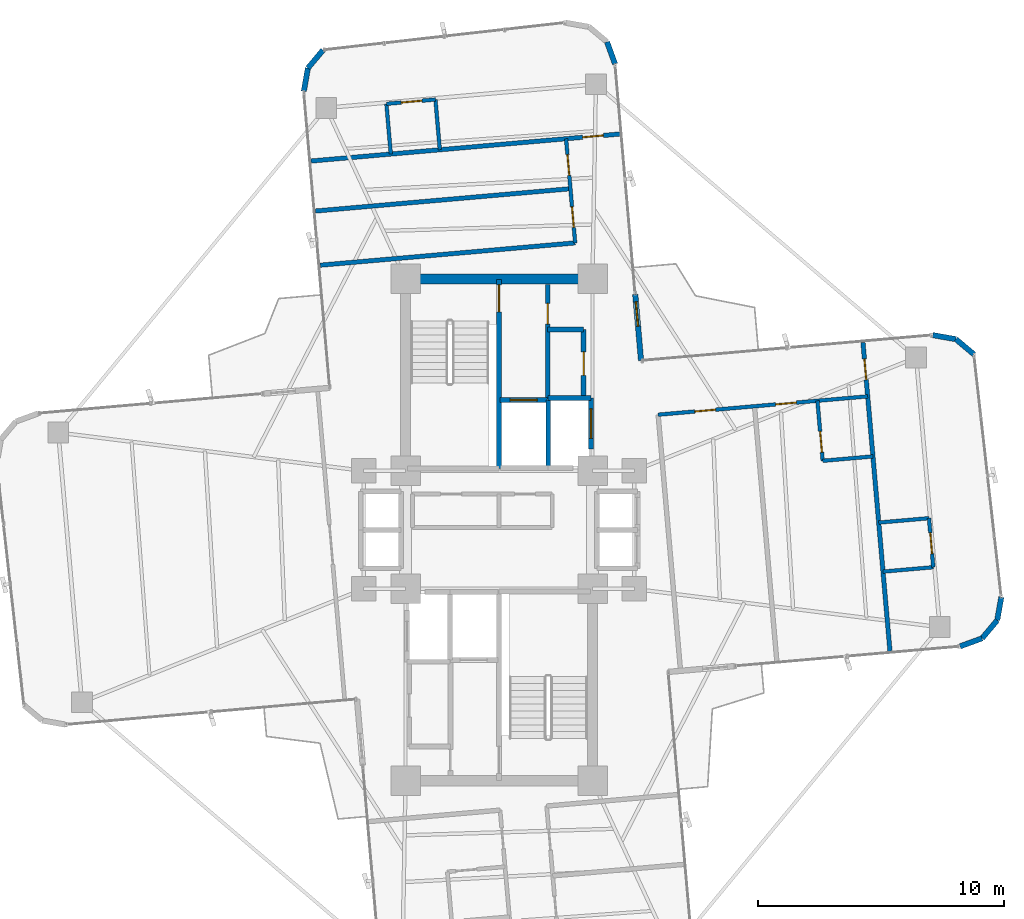
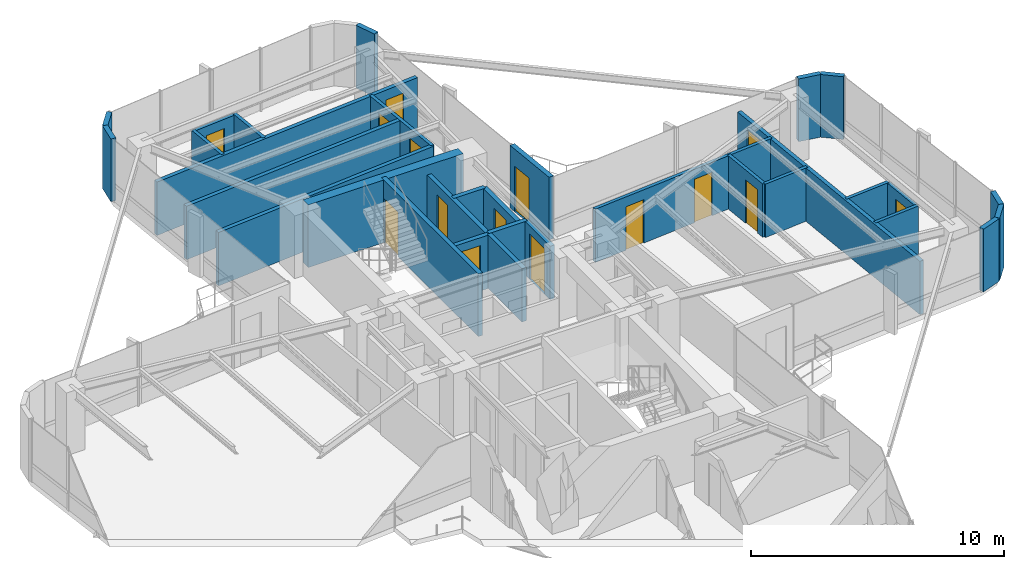
# One storey, part 22 of 24: 32 walls, 15 doors, 15 openings.
"""IFC4 building model written with IfcOpenShell, lengths in metres."""

import ifcopenshell
import ifcopenshell.guid

model = None  # the IFC model being written
_history = None  # IfcOwnerHistory: only IFC2X3 demands one
_inside = {}  # id of a spatial element -> (the spatial element, [elements in it])
_under = {}  # id of a project, library or spatial element -> (it, [spatial elements below it])
_declared = {}  # id of a project -> (the project, [libraries it declares])
_typed = {}  # id of a type object -> (the type object, [elements of that type])
_made_of = {}  # id of a material, layer set ... -> (it, [elements and type objects made of it])


def new_model(schema):
    """Start an empty IFC model of exactly this schema.

    Asked for "IFC4X3", IfcOpenShell would pick the latest addendum, in which some entities
    have other attributes; the version numbers below select the first issue.
    IFC2X3 requires an IfcOwnerHistory on every rooted entity: one is made here for all.
    """
    global model, _history
    if schema == "IFC4X3":
        model = ifcopenshell.file(schema_version=(4, 3, 0, 0))
    else:
        model = ifcopenshell.file(schema=schema)
    _inside.clear()
    _under.clear()
    _declared.clear()
    _typed.clear()
    _made_of.clear()
    _history = None
    if model.schema == "IFC2X3":
        org = make("IfcOrganization", Name="unknown")
        user = make(
            "IfcPersonAndOrganization",
            ThePerson=make("IfcPerson", FamilyName="unknown"),
            TheOrganization=org,
        )
        app = make(
            "IfcApplication",
            ApplicationDeveloper=org,
            Version="unknown",
            ApplicationFullName="unknown",
            ApplicationIdentifier="unknown",
        )
        _history = make(
            "IfcOwnerHistory",
            OwningUser=user,
            OwningApplication=app,
            ChangeAction="ADDED",
            CreationDate=0,
        )
    return model


def make(cls, **values):
    """One entity of the class cls with the attributes given. An attribute that is None is left unset."""
    return model.create_entity(
        cls, **{name: value for name, value in values.items() if value is not None}
    )


def rooted(cls, **values):
    """An entity with a GlobalId (a new one), such as an element, a storey or a relation."""
    return make(cls, GlobalId=ifcopenshell.guid.new(), OwnerHistory=_history, **values)


def si_unit(unit_type, name, prefix=None):
    """IfcSIUnit, for example si_unit("LENGTHUNIT", "METRE", prefix="MILLI")."""
    return make("IfcSIUnit", UnitType=unit_type, Prefix=prefix, Name=name)


def assignment(units):
    """IfcUnitAssignment: the units of a project."""
    return None if units is None else make("IfcUnitAssignment", Units=units)


def point(xyz):
    """IfcCartesianPoint."""
    return None if xyz is None else make("IfcCartesianPoint", Coordinates=xyz)


def direction(xyz):
    """IfcDirection."""
    return None if xyz is None else make("IfcDirection", DirectionRatios=xyz)


def frame(location, z_axis=None, x_axis=None):
    """IfcAxis2Placement3D, a coordinate frame: its origin and axes. An axis left out is left unset."""
    return make(
        "IfcAxis2Placement3D",
        Location=point(location),
        Axis=direction(z_axis),
        RefDirection=direction(x_axis),
    )


def frame_2d(location, x_axis=None):
    """IfcAxis2Placement2D, a coordinate frame in the plane: its origin and x axis."""
    return make(
        "IfcAxis2Placement2D", Location=point(location), RefDirection=direction(x_axis)
    )


def origin():
    """The frame at (0, 0, 0) with its axes left unset."""
    return frame((0.0, 0.0, 0.0))


def origin_2d():
    """The frame at (0, 0) in the plane with its x axis left unset."""
    return frame_2d((0.0, 0.0))


def place(relative_to, where):
    """IfcLocalPlacement: puts the frame where relative to a parent placement (None: the world)."""
    return make(
        "IfcLocalPlacement", PlacementRelTo=relative_to, RelativePlacement=where
    )


def context(
    kind, dimensions, precision=None, world=None, true_north=None, identifier=None
):
    """IfcGeometricRepresentationContext, for example the 3D "Model" context."""
    return make(
        "IfcGeometricRepresentationContext",
        ContextIdentifier=identifier,
        ContextType=kind,
        CoordinateSpaceDimension=dimensions,
        Precision=precision,
        WorldCoordinateSystem=world,
        TrueNorth=true_north,
    )


def subcontext(parent, identifier, kind, view, scale=None):
    """IfcGeometricRepresentationSubContext, for example "Body" below "Model"."""
    return make(
        "IfcGeometricRepresentationSubContext",
        ContextIdentifier=identifier,
        ContextType=kind,
        ParentContext=parent,
        TargetScale=scale,
        TargetView=view,
    )


def project(units=None, contexts=None):
    """IfcProject with its units and contexts."""
    return rooted(
        "IfcProject",
        Name="project",
        RepresentationContexts=contexts,
        UnitsInContext=assignment(units),
    )


def spatial(cls, under=None, at=None, **own):
    """A site, building, storey or space (cls), placed at a placement, below another one or the project."""
    s = rooted(cls, ObjectPlacement=at, **own)
    if under is not None:
        _under.setdefault(under.id(), (under, []))[1].append(s)
    return s


def profile(cls, at=None, kind="AREA", **sizes):
    """A parametric profile (cls). Its sizes go by their IFC names, for example OverallWidth=200.0."""
    return make(cls, ProfileType=kind, Position=at, **sizes)


def rectangle(**sizes):
    """IfcRectangleProfileDef."""
    return profile("IfcRectangleProfileDef", **sizes)


def extrude(swept, where, along, depth):
    """IfcExtrudedAreaSolid: the profile swept, set in the frame where, extruded along a direction by depth."""
    return make(
        "IfcExtrudedAreaSolid",
        SweptArea=swept,
        Position=where,
        ExtrudedDirection=direction(along),
        Depth=depth,
    )


def shape(context_of_items, identifier, shape_type, items):
    """IfcShapeRepresentation: the items that make up one representation, for example the "Body"."""
    return make(
        "IfcShapeRepresentation",
        ContextOfItems=context_of_items,
        RepresentationIdentifier=identifier,
        RepresentationType=shape_type,
        Items=items,
    )


def source(mapping_origin, context_of_items, identifier, shape_type, items):
    """IfcRepresentationMap: a shape defined once, which mapped items show again and again."""
    return make(
        "IfcRepresentationMap",
        MappingOrigin=mapping_origin,
        MappedRepresentation=shape(context_of_items, identifier, shape_type, items),
    )


def transform(
    local_origin,
    x_axis=None,
    y_axis=None,
    z_axis=None,
    scale=None,
    scale2=None,
    scale3=None,
    uniform=True,
):
    """IfcCartesianTransformationOperator3D, or its non-uniform kind. x_axis, y_axis, z_axis: its Axis1, 2, 3."""
    if uniform:
        return make(
            "IfcCartesianTransformationOperator3D",
            Axis1=direction(x_axis),
            Axis2=direction(y_axis),
            LocalOrigin=point(local_origin),
            Scale=scale,
            Axis3=direction(z_axis),
        )
    return make(
        "IfcCartesianTransformationOperator3DnonUniform",
        Axis1=direction(x_axis),
        Axis2=direction(y_axis),
        LocalOrigin=point(local_origin),
        Scale=scale,
        Axis3=direction(z_axis),
        Scale2=scale2,
        Scale3=scale3,
    )


def mapped(mapping_source, mapping_target):
    """IfcMappedItem: shows the shape of a source again, moved by a transform."""
    return make(
        "IfcMappedItem", MappingSource=mapping_source, MappingTarget=mapping_target
    )


def material(Name=None, Category=None):
    """IfcMaterial."""
    return make("IfcMaterial", Name=Name, Category=Category)


def layer(
    of_material, thickness, ventilated=None, Name=None, Category=None, Priority=None
):
    """IfcMaterialLayer: one layer of a wall or slab, of a material (None: an air gap)."""
    return make(
        "IfcMaterialLayer",
        Material=of_material,
        LayerThickness=thickness,
        IsVentilated=ventilated,
        Name=Name,
        Category=Category,
        Priority=Priority,
    )


def layer_set(layers, Name=None):
    """IfcMaterialLayerSet."""
    return make("IfcMaterialLayerSet", MaterialLayers=layers, LayerSetName=Name)


def made_of(thing, what):
    """Note that an element or type object is made of a material, layer set ...; save() writes the relation."""
    if what is not None:
        _made_of.setdefault(what.id(), (what, []))[1].append(thing)
    return thing


def type_object(cls, material=None, **own):
    """A type object (cls), such as IfcWallType, which elements share."""
    return made_of(rooted(cls, **own), material)


def element(
    cls,
    number,
    at=None,
    inside=None,
    cuts=None,
    type_object=None,
    material=None,
    context=None,
    identifier="Body",
    shape_type=None,
    held_by="IfcProductDefinitionShape",
    body=None,
    shapes=None,
    **own,
):
    """One element of the class cls, such as IfcWall. Its Tag is "e" and its number.

    at: its placement. inside: the storey or other place that contains it. cuts: it is an
    opening in that element (IfcRelVoidsElement). A single representation is given by context,
    identifier, shape_type and body (its items); several are given by shapes. held_by: the class
    of the entity that holds the representations. save() writes the other relations.
    """
    e = rooted(cls, Tag="e%d" % number, ObjectPlacement=at, **own)
    if body is not None:
        shapes = [shape(context, identifier, shape_type, body)]
    if shapes is not None:
        e.Representation = make(held_by, Representations=shapes)
    if inside is not None:
        _inside.setdefault(inside.id(), (inside, []))[1].append(e)
    if cuts is not None:
        rooted(
            "IfcRelVoidsElement", RelatingBuildingElement=cuts, RelatedOpeningElement=e
        )
    if type_object is not None:
        _typed.setdefault(type_object.id(), (type_object, []))[1].append(e)
    return made_of(e, material)


def fill(opening, filler):
    """IfcRelFillsElement: the door or window that sits in an opening."""
    return rooted(
        "IfcRelFillsElement",
        RelatingOpeningElement=opening,
        RelatedBuildingElement=filler,
    )


def aggregate(whole, parts):
    """IfcRelAggregates: a whole, such as a stair, and the parts it consists of."""
    return rooted("IfcRelAggregates", RelatingObject=whole, RelatedObjects=parts)


def save(model, path):
    """Write the relations noted so far, then the file.

    IfcRelAggregates (storeys below a building ...), IfcRelContainedInSpatialStructure (elements
    in a storey), IfcRelDefinesByType, IfcRelAssociatesMaterial and IfcRelDeclares: one each for
    every whole, place, type object, material and project.
    """
    for whole, parts in _under.values():
        aggregate(whole, parts)
    for where, things in _inside.values():
        rooted(
            "IfcRelContainedInSpatialStructure",
            RelatedElements=things,
            RelatingStructure=where,
        )
    for kind, things in _typed.values():
        rooted("IfcRelDefinesByType", RelatedObjects=things, RelatingType=kind)
    for what, things in _made_of.values():
        rooted("IfcRelAssociatesMaterial", RelatedObjects=things, RelatingMaterial=what)
    for by, libraries in _declared.values():
        rooted("IfcRelDeclares", RelatingContext=by, RelatedDefinitions=libraries)
    model.write(path)


model = new_model("IFC4")

# Units and contexts
model_context = context("Model", 3, precision=1e-05, world=origin(), true_north=direction((0.0, 1.0)))
body_context = subcontext(model_context, "Body", "Model", "MODEL_VIEW")
ifc_project = project(units=[si_unit("LENGTHUNIT", "METRE"), si_unit("AREAUNIT", "SQUARE_METRE"), si_unit("VOLUMEUNIT", "CUBIC_METRE"), si_unit("PLANEANGLEUNIT", "RADIAN"), si_unit("MASSUNIT", "GRAM", prefix="KILO")], contexts=[model_context])

# Site, building, storey
site_placement = place(None, origin())
site = spatial("IfcSite", under=ifc_project, at=site_placement, CompositionType="ELEMENT")
building_placement = place(site_placement, origin())
building = spatial("IfcBuilding", under=site, at=building_placement, Name="Sahyath Konkavel Grand Hotel", CompositionType="ELEMENT")
storey_placement = place(building_placement, frame((0.0, 0.0, 198.64990234375)))
storey = spatial("IfcBuildingStorey", under=building, at=storey_placement, Name="L55", CompositionType="ELEMENT", Elevation=198.64990234375)

# Walls
ifc_material_1 = material(Name="Concrete C50/60", Category="concrete")
ifc_layer_1 = layer(ifc_material_1, 0.419921875)
ifc_layer_set_1 = layer_set([ifc_layer_1], Name="Concrete C50/60")
wall_type_1 = type_object("IfcWallType", Name="CWALL-420", PredefinedType="SHEAR", material=ifc_layer_set_1)
wall_1_placement = place(storey_placement, frame((-3.550048828125, 10.199951171875, 0.0), z_axis=(0.0, 0.0, 1.0), x_axis=(1.0, 0.0, 0.0)))
element("IfcWall", 1, at=wall_1_placement, inside=storey, type_object=wall_type_1, Name="L55 North Core Shear Wall N", PredefinedType="SHEAR", context=body_context, shape_type="SweptSolid", body=[
    extrude(rectangle(XDim=7.10009765625, YDim=0.419921875, at=frame_2d((3.550048828125, 0.0))), origin(), (0.0, 0.0, 1.0), 3.030029296875),
])
ifc_material_2 = material(Name="Warm Buff Sandstone Insulated Concrete C40/50", Category="masonry")
ifc_layer_2 = layer(ifc_material_2, 0.219970703125)
ifc_layer_set_2 = layer_set([ifc_layer_2], Name="Warm Buff Sandstone Insulated Concrete C40/50")
wall_type_2 = type_object("IfcWallType", Name="WLL-BALC-THRESH", PredefinedType="STANDARD", material=ifc_layer_set_2)
wall_2_placement = place(storey_placement, frame((18.73388671875, -4.735107421875, 0.0), z_axis=(0.0, 0.0, 1.0), x_axis=(0.939741306239, 0.34188635151, 0.0)))
element("IfcWall", 2, at=wall_2_placement, inside=storey, type_object=wall_type_2, Name="L55 Rounded Corner Sandstone Pier 1", PredefinedType="STANDARD", context=body_context, shape_type="SweptSolid", body=[
    extrude(rectangle(XDim=0.95751953125, YDim=0.219970703125, at=frame_2d((0.478759765625, 0.0))), origin(), (0.0, 0.0, 1.0), 3.030029296875),
])
for number, where, z_axis, x_axis, name in (
    (3, (19.6337890625, -4.40771484375, 0.0), (0.0, 0.0, 1.0), (0.642863236823, 0.765980978054, 0.0), "L55 Rounded Corner Sandstone Pier 2"),
    (4, (20.24951171875, -3.674072265625, 0.0), (0.0, 0.0, 1.0), (0.173610811841, 0.984814340885, 0.0), "L55 Rounded Corner Sandstone Pier 3"),
):
    element("IfcWall", number, at=place(storey_placement, frame(where, z_axis=z_axis, x_axis=x_axis)), inside=storey, type_object=wall_type_2, Name=name, PredefinedType="STANDARD", context=body_context, shape_type="SweptSolid", body=[
        extrude(rectangle(XDim=0.957763671875, YDim=0.219970703125, at=frame_2d((0.47900390625, 0.0))), origin(), (0.0, 0.0, 1.0), 3.030029296875),
    ])
wall_3_placement = place(storey_placement, frame((19.3037109375, 7.134521484375, 0.0), z_axis=(0.0, 0.0, 1.0), x_axis=(-0.766001159887, 0.642839189107, 0.0)))
element("IfcWall", 5, at=wall_3_placement, inside=storey, type_object=wall_type_2, Name="L55 Rounded Corner Sandstone Pier 5", PredefinedType="STANDARD", context=body_context, shape_type="SweptSolid", body=[
    extrude(rectangle(XDim=0.95751953125, YDim=0.219970703125, at=frame_2d((0.478759765625, 0.0))), origin(), (0.0, 0.0, 1.0), 3.030029296875),
])
wall_4_placement = place(storey_placement, frame((18.5703125, 7.75, 0.0), z_axis=(0.0, 0.0, 1.0), x_axis=(-0.984770724397, 0.173858046606, 0.0)))
element("IfcWall", 6, at=wall_4_placement, inside=storey, type_object=wall_type_2, Name="L55 Rounded Corner Sandstone Pier 6", PredefinedType="STANDARD", context=body_context, shape_type="SweptSolid", body=[
    extrude(rectangle(XDim=0.957763671875, YDim=0.219970703125, at=frame_2d((0.47900390625, 0.0))), origin(), (0.0, 0.0, 1.0), 3.030029296875),
])

# Wall, opening, door
wall_5_placement = place(storey_placement, frame((5.7724609375, 6.87939453125, 0.0), z_axis=(0.0, 0.0, 1.0), x_axis=(-0.087168071984, 0.996193619346, 0.0)))
wall_5 = element("IfcWall", 7, at=wall_5_placement, inside=storey, type_object=wall_type_2, Name="L55 Winter-Garden Threshold Wall 8", PredefinedType="STANDARD", context=body_context, shape_type="SweptSolid", body=[
    extrude(rectangle(XDim=2.699951171875, YDim=0.219970703125, at=frame_2d((1.35009765625, 0.0))), origin(), (0.0, 0.0, 1.0), 3.030029296875),
])
opening_1_placement = place(wall_5_placement, frame((1.39990234375, 0.0, 0.0)))
opening_1 = element("IfcOpeningElement", 8, at=opening_1_placement, cuts=wall_5, Name="Opening D-TR1", PredefinedType="OPENING", context=body_context, shape_type="SweptSolid", body=[
    extrude(rectangle(XDim=1.0, YDim=2.199951171875, at=frame_2d((0.5, 1.10009765625))), frame((0.0, 0.1201171875, 0.0), z_axis=(0.0, -1.0, 0.0), x_axis=(1.0, 0.0, 0.0)), (0.0, 0.0, 1.0), 0.239990234375),
])
ifc_material_3 = material(Name="Anodised Bronze Aluminium & Low-E Glazing", Category="aluminium")
door_type_1 = type_object("IfcDoorType", Name="DR-TERRACE-1000", OperationType="NOTDEFINED", PredefinedType="DOOR", material=ifc_material_3)
shared_shape_1 = source(origin(), body_context, "Body", "SweptSolid", [
    extrude(rectangle(XDim=1.0, YDim=0.050048828125, at=origin_2d()), origin(), (0.0, 0.0, 1.0), 2.199951171875),
])
door_1_placement = place(opening_1_placement, frame((0.5, 0.0, 0.0)))
door_1 = element("IfcDoor", 9, at=door_1_placement, inside=storey, type_object=door_type_1, Name="L55 Winter-Garden Terrace Door 8", OperationType="SINGLE_SWING_LEFT", OverallHeight=2.199951171875, OverallWidth=1.0, PredefinedType="DOOR", context=body_context, shape_type="MappedRepresentation", body=[
    mapped(shared_shape_1, transform((0.0, 0.0, 0.0), scale=1.0)),
])
fill(opening_1, door_1)

# Walls
for number, where, z_axis, x_axis, name in (
    (10, (4.7177734375, 18.93310546875, 0.0), (0.0, 0.0, 1.0), (-0.34188635151, 0.939741306239, 0.0), "L55 Rounded Corner Sandstone Pier 9"),
    (11, (-7.152099609375, 19.5029296875, 0.0), (0.0, 0.0, 1.0), (-0.642713642115, -0.766106503196, 0.0), "L55 Rounded Corner Sandstone Pier 13"),
    (12, (-7.767578125, 18.769287109375, 0.0), (0.0, 0.0, 1.0), (-0.173654409999, -0.984806654064, 0.0), "L55 Rounded Corner Sandstone Pier 14"),
):
    element("IfcWall", number, at=place(storey_placement, frame(where, z_axis=z_axis, x_axis=x_axis)), inside=storey, type_object=wall_type_2, Name=name, PredefinedType="STANDARD", context=body_context, shape_type="SweptSolid", body=[
        extrude(rectangle(XDim=0.95751953125, YDim=0.219970703125, at=frame_2d((0.478759765625, 0.0))), origin(), (0.0, 0.0, 1.0), 3.030029296875),
    ])

# Wall, opening, door
ifc_material_4 = material(Name="Concrete C40/50", Category="concrete")
ifc_layer_3 = layer(ifc_material_4, 0.199951171875)
ifc_layer_set_3 = layer_set([ifc_layer_3], Name="Concrete C40/50")
wall_type_3 = type_object("IfcWallType", Name="WLL-CORE-200", PredefinedType="SOLIDWALL", material=ifc_layer_set_3)
wall_6_placement = place(storey_placement, frame((0.0, 2.5, 0.0), z_axis=(0.0, 0.0, 1.0), x_axis=(0.0, 1.0, 0.0)))
wall_6 = element("IfcWall", 13, at=wall_6_placement, inside=storey, type_object=wall_type_3, Name="L55 Stair ST-1 Shaft Wall E", PredefinedType="SOLIDWALL", context=body_context, shape_type="SweptSolid", body=[
    extrude(rectangle(XDim=7.679931640625, YDim=0.199951171875, at=frame_2d((3.83984375, 0.0))), origin(), (0.0, 0.0, 1.0), 3.030029296875),
])
opening_2_placement = place(wall_6_placement, frame((6.360107421875, 0.0, 0.0)))
opening_2 = element("IfcOpeningElement", 14, at=opening_2_placement, cuts=wall_6, Name="Opening D-F12B", PredefinedType="OPENING", context=body_context, shape_type="SweptSolid", body=[
    extrude(rectangle(XDim=1.10009765625, YDim=2.14990234375, at=frame_2d((0.550048828125, 1.074951171875))), frame((0.0, 0.10986328125, 0.0), z_axis=(0.0, -1.0, 0.0), x_axis=(1.0, 0.0, 0.0)), (0.0, 0.0, 1.0), 0.219970703125),
])
ifc_material_5 = material(Name="Steel E350 Smokeproof Fire Door", Category="steel")
door_type_2 = type_object("IfcDoorType", Name="DR-FD120-1100", OperationType="NOTDEFINED", PredefinedType="DOOR", material=ifc_material_5)
shared_shape_2 = source(origin(), body_context, "Body", "SweptSolid", [
    extrude(rectangle(XDim=1.10009765625, YDim=0.050048828125, at=origin_2d()), origin(), (0.0, 0.0, 1.0), 2.14990234375),
])
door_2_placement = place(opening_2_placement, frame((0.550048828125, 0.0, 0.0)))
door_2 = element("IfcDoor", 15, at=door_2_placement, inside=storey, type_object=door_type_2, Name="L55 Stair ST-1 Fire Door", OperationType="SINGLE_SWING_LEFT", OverallHeight=2.14990234375, OverallWidth=1.10009765625, PredefinedType="DOOR", context=body_context, shape_type="MappedRepresentation", body=[
    mapped(shared_shape_2, transform((0.0, 0.0, 0.0), scale=1.0)),
])
fill(opening_2, door_2)

wall_7_placement = place(storey_placement, frame((1.97998046875, 5.320068359375, 0.0), z_axis=(0.0, 0.0, 1.0), x_axis=(0.0, 1.0, 0.0)))
wall_7 = element("IfcWall", 16, at=wall_7_placement, inside=storey, type_object=wall_type_3, Name="L55 North Firefighting Lobby Wall E", PredefinedType="SOLIDWALL", context=body_context, shape_type="SweptSolid", body=[
    extrude(rectangle(XDim=4.659912109375, YDim=0.199951171875, at=frame_2d((2.330078125, 0.0))), origin(), (0.0, 0.0, 1.0), 2.580078125),
])
opening_3_placement = place(wall_7_placement, frame((3.0400390625, 0.0, 0.0)))
opening_3 = element("IfcOpeningElement", 17, at=opening_3_placement, cuts=wall_7, Name="Opening D-F12D", PredefinedType="OPENING", context=body_context, shape_type="SweptSolid", body=[
    extrude(rectangle(XDim=0.85009765625, YDim=2.10009765625, at=frame_2d((0.425048828125, 1.050048828125))), frame((0.0, 0.10986328125, 0.0), z_axis=(0.0, -1.0, 0.0), x_axis=(1.0, 0.0, 0.0)), (0.0, 0.0, 1.0), 0.219970703125),
])
ifc_material_6 = material(Name="Steel E350 Core Fire Door", Category="steel")
door_type_3 = type_object("IfcDoorType", Name="DR-FD120-850", OperationType="NOTDEFINED", PredefinedType="DOOR", material=ifc_material_6)
shared_shape_3 = source(origin(), body_context, "Body", "SweptSolid", [
    extrude(rectangle(XDim=0.85009765625, YDim=0.050048828125, at=origin_2d()), origin(), (0.0, 0.0, 1.0), 2.10009765625),
])
door_3_placement = place(opening_3_placement, frame((0.425048828125, 0.0, 0.0)))
door_3 = element("IfcDoor", 18, at=door_3_placement, inside=storey, type_object=door_type_3, Name="L55 North Firefighting Lobby Door", OperationType="SINGLE_SWING_LEFT", OverallHeight=2.10009765625, OverallWidth=0.85009765625, PredefinedType="DOOR", context=body_context, shape_type="MappedRepresentation", body=[
    mapped(shared_shape_3, transform((0.0, 0.0, 0.0), scale=1.0)),
])
fill(opening_3, door_3)

# Wall
wall_8_placement = place(storey_placement, frame((2.0, 2.5, 0.0), z_axis=(0.0, 0.0, 1.0), x_axis=(0.0, 1.0, 0.0)))
element("IfcWall", 19, at=wall_8_placement, inside=storey, type_object=wall_type_3, Name="L55 Partition SH-FFL1-E", PredefinedType="SOLIDWALL", context=body_context, shape_type="SweptSolid", body=[
    extrude(rectangle(XDim=2.780029296875, YDim=0.199951171875, at=frame_2d((1.39013671875, 0.0))), origin(), (0.0, 0.0, 1.0), 2.580078125),
])

# Wall, opening, door
wall_9_placement = place(storey_placement, frame((0.050048828125, 5.280029296875, 0.0), z_axis=(0.0, 0.0, 1.0), x_axis=(1.0, 0.0, 0.0)))
wall_9 = element("IfcWall", 20, at=wall_9_placement, inside=storey, type_object=wall_type_3, Name="L55 Partition SH-FFL1-N", PredefinedType="SOLIDWALL", context=body_context, shape_type="SweptSolid", body=[
    extrude(rectangle(XDim=1.929931640625, YDim=0.199951171875, at=frame_2d((0.96484375, 0.0))), origin(), (0.0, 0.0, 1.0), 2.580078125),
])
opening_4_placement = place(wall_9_placement, frame((0.39990234375, 0.0, 0.0)))
opening_4 = element("IfcOpeningElement", 21, at=opening_4_placement, cuts=wall_9, Name="Opening LD-11", PredefinedType="OPENING", context=body_context, shape_type="SweptSolid", body=[
    extrude(rectangle(XDim=1.10009765625, YDim=2.199951171875, at=frame_2d((0.550048828125, 1.10009765625))), frame((0.0, 0.10986328125, 0.0), z_axis=(0.0, -1.0, 0.0), x_axis=(1.0, 0.0, 0.0)), (0.0, 0.0, 1.0), 0.219970703125),
])
ifc_material_7 = material(Name="Bronze Lift Landing Door 1100")
door_type_4 = type_object("IfcDoorType", Name="DR-LIFT-1100", OperationType="DOUBLE_DOOR_SLIDING", PredefinedType="DOOR", material=ifc_material_7)
shared_shape_4 = source(origin(), body_context, "Body", "SweptSolid", [
    extrude(rectangle(XDim=1.10009765625, YDim=0.050048828125, at=origin_2d()), origin(), (0.0, 0.0, 1.0), 2.199951171875),
])
door_4_placement = place(opening_4_placement, frame((0.550048828125, 0.0, 0.0)))
door_4 = element("IfcDoor", 22, at=door_4_placement, inside=storey, type_object=door_type_4, Name="L55 Lift FFL-1 Landing Door", OperationType="DOUBLE_DOOR_SLIDING", OverallHeight=2.199951171875, OverallWidth=1.10009765625, PredefinedType="DOOR", context=body_context, shape_type="MappedRepresentation", body=[
    mapped(shared_shape_4, transform((0.0, 0.0, 0.0), scale=1.0)),
])
fill(opening_4, door_4)

# Wall
wall_10_placement = place(storey_placement, frame((2.0, 5.360107421875, 0.0), z_axis=(0.0, 0.0, 1.0), x_axis=(1.0, 0.0, 0.0)))
element("IfcWall", 23, at=wall_10_placement, inside=storey, type_object=wall_type_3, Name="L55 Partition SH-SVL1-N", PredefinedType="SOLIDWALL", context=body_context, shape_type="SweptSolid", body=[
    extrude(rectangle(XDim=1.739990234375, YDim=0.199951171875, at=frame_2d((0.8701171875, 0.0))), origin(), (0.0, 0.0, 1.0), 2.580078125),
])

# Wall, opening, door
wall_11_placement = place(storey_placement, frame((3.739990234375, 3.280029296875, 0.0), z_axis=(0.0, 0.0, 1.0), x_axis=(0.0, 1.0, 0.0)))
wall_11 = element("IfcWall", 24, at=wall_11_placement, inside=storey, type_object=wall_type_3, Name="L55 Partition SH-SVL1-E", PredefinedType="SOLIDWALL", context=body_context, shape_type="SweptSolid", body=[
    extrude(rectangle(XDim=2.080078125, YDim=0.199951171875, at=frame_2d((1.0400390625, 0.0))), origin(), (0.0, 0.0, 1.0), 2.580078125),
])
opening_5_placement = place(wall_11_placement, frame((0.43994140625, 0.0, 0.0)))
opening_5 = element("IfcOpeningElement", 25, at=opening_5_placement, cuts=wall_11, Name="Opening LD-12", PredefinedType="OPENING", context=body_context, shape_type="SweptSolid", body=[
    extrude(rectangle(XDim=1.199951171875, YDim=2.199951171875, at=frame_2d((0.60009765625, 1.10009765625))), frame((0.0, 0.10986328125, 0.0), z_axis=(0.0, -1.0, 0.0), x_axis=(1.0, 0.0, 0.0)), (0.0, 0.0, 1.0), 0.219970703125),
])
ifc_material_8 = material(Name="Stainless Steel Lift Landing Door 1200", Category="steel")
door_type_5 = type_object("IfcDoorType", Name="DR-LIFT-1200", OperationType="DOUBLE_DOOR_SLIDING", PredefinedType="DOOR", material=ifc_material_8)
shared_shape_5 = source(origin(), body_context, "Body", "SweptSolid", [
    extrude(rectangle(XDim=1.199951171875, YDim=0.050048828125, at=origin_2d()), origin(), (0.0, 0.0, 1.0), 2.199951171875),
])
door_5_placement = place(opening_5_placement, frame((0.60009765625, 0.0, 0.0)))
door_5 = element("IfcDoor", 26, at=door_5_placement, inside=storey, type_object=door_type_5, Name="L55 Service Lift SVL-1 Landing Door", OperationType="DOUBLE_DOOR_SLIDING", OverallHeight=2.199951171875, OverallWidth=1.199951171875, PredefinedType="DOOR", context=body_context, shape_type="MappedRepresentation", body=[
    mapped(shared_shape_5, transform((0.0, 0.0, 0.0), scale=1.0)),
])
fill(opening_5, door_5)

wall_12_placement = place(storey_placement, frame((3.43994140625, 5.3798828125, 0.0), z_axis=(0.0, 0.0, 1.0), x_axis=(0.0, 1.0, 0.0)))
wall_12 = element("IfcWall", 27, at=wall_12_placement, inside=storey, type_object=wall_type_3, Name="L55 Reclaimed North Core Wall E", PredefinedType="SOLIDWALL", context=body_context, shape_type="SweptSolid", body=[
    extrude(rectangle(XDim=2.77001953125, YDim=0.199951171875, at=frame_2d((1.385009765625, 0.0))), origin(), (0.0, 0.0, 1.0), 2.580078125),
])
opening_6_placement = place(wall_12_placement, frame((0.89990234375, 0.0, 0.0)))
opening_6 = element("IfcOpeningElement", 28, at=opening_6_placement, cuts=wall_12, Name="Opening D-F06B", PredefinedType="OPENING", context=body_context, shape_type="SweptSolid", body=[
    extrude(rectangle(XDim=0.949951171875, YDim=2.14990234375, at=frame_2d((0.47509765625, 1.074951171875))), frame((0.0, 0.10986328125, 0.0), z_axis=(0.0, -1.0, 0.0), x_axis=(1.0, 0.0, 0.0)), (0.0, 0.0, 1.0), 0.219970703125),
])
ifc_material_9 = material(Name="Teak Veneer Fire-Rated Guest Entrance Door")
door_type_6 = type_object("IfcDoorType", Name="DR-FD60-950", OperationType="NOTDEFINED", PredefinedType="DOOR", material=ifc_material_9)
shared_shape_6 = source(origin(), body_context, "Body", "SweptSolid", [
    extrude(rectangle(XDim=0.949951171875, YDim=0.050048828125, at=origin_2d()), origin(), (0.0, 0.0, 1.0), 2.14990234375),
])
door_6_placement = place(opening_6_placement, frame((0.47509765625, 0.0, 0.0)))
door_6 = element("IfcDoor", 29, at=door_6_placement, inside=storey, type_object=door_type_6, Name="L55 Door NC-REC1-D", OperationType="SINGLE_SWING_LEFT", OverallHeight=2.14990234375, OverallWidth=0.949951171875, PredefinedType="DOOR", context=body_context, shape_type="MappedRepresentation", body=[
    mapped(shared_shape_6, transform((0.0, 0.0, 0.0), scale=1.0)),
])
fill(opening_6, door_6)

# Wall
wall_13_placement = place(storey_placement, frame((1.97998046875, 8.14990234375, 0.0), z_axis=(0.0, 0.0, 1.0), x_axis=(1.0, 0.0, 0.0)))
element("IfcWall", 30, at=wall_13_placement, inside=storey, type_object=wall_type_3, Name="L55 Partition NC-REC-N", PredefinedType="SOLIDWALL", context=body_context, shape_type="SweptSolid", body=[
    extrude(rectangle(XDim=1.4599609375, YDim=0.199951171875, at=frame_2d((0.72998046875, 0.0))), origin(), (0.0, 0.0, 1.0), 2.580078125),
])

# Wall, opening, door
ifc_material_10 = material(Name="Twin-Stud Acoustic Gypsum Plasterboard Partition")
ifc_layer_4 = layer(ifc_material_10, 0.179931640625)
ifc_layer_set_4 = layer_set([ifc_layer_4], Name="Twin-Stud Acoustic Gypsum Plasterboard Partition")
wall_type_4 = type_object("IfcWallType", Name="WLL-DEMISE-180", PredefinedType="PARTITIONING", material=ifc_layer_set_4)
wall_14_placement = place(storey_placement, frame((15.890380859375, -4.933837890625, 0.0), z_axis=(0.0, 0.0, 1.0), x_axis=(-0.087154691724, 0.996194790044, 0.0)))
wall_14 = element("IfcWall", 31, at=wall_14_placement, inside=storey, type_object=wall_type_4, Name="L55 Partition E-ETIP-END", PredefinedType="PARTITIONING", context=body_context, shape_type="SweptSolid", body=[
    extrude(rectangle(XDim=12.599853515625, YDim=0.179931640625, at=frame_2d((6.2998046875, 0.0))), origin(), (0.0, 0.0, 1.0), 2.580078125),
])
opening_7_placement = place(wall_14_placement, frame((11.074951171875, 0.0, 0.0)))
opening_7 = element("IfcOpeningElement", 32, at=opening_7_placement, cuts=wall_14, Name="Opening D-F06D", PredefinedType="OPENING", context=body_context, shape_type="SweptSolid", body=[
    extrude(rectangle(XDim=0.85009765625, YDim=2.10009765625, at=frame_2d((0.425048828125, 1.050048828125))), frame((0.0, 0.10009765625, 0.0), z_axis=(0.0, -1.0, 0.0), x_axis=(1.0, 0.0, 0.0)), (0.0, 0.0, 1.0), 0.199951171875),
])
ifc_material_11 = material(Name="Fire-Rated Shaft Access Door")
door_type_7 = type_object("IfcDoorType", Name="DR-FD60-850", OperationType="NOTDEFINED", PredefinedType="DOOR", material=ifc_material_11)
door_7_placement = place(opening_7_placement, frame((0.425048828125, 0.0, 0.0)))
door_7 = element("IfcDoor", 33, at=door_7_placement, inside=storey, type_object=door_type_7, Name="L55 Door E-ETIP-ED", OperationType="SINGLE_SWING_LEFT", OverallHeight=2.10009765625, OverallWidth=0.85009765625, PredefinedType="DOOR", context=body_context, shape_type="MappedRepresentation", body=[
    mapped(shared_shape_3, transform((0.0, 0.0, 0.0), scale=1.0)),
])
fill(opening_7, door_7)

# Walls
wall_15_placement = place(storey_placement, frame((3.09521484375, 11.6640625, 0.0), z_axis=(0.0, 0.0, 1.0), x_axis=(-0.996196061386, -0.087140158824, 0.0)))
element("IfcWall", 34, at=wall_15_placement, inside=storey, type_object=wall_type_4, Name="L55 Partition N-G6I", PredefinedType="PARTITIONING", context=body_context, shape_type="SweptSolid", body=[
    extrude(rectangle(XDim=10.39990234375, YDim=0.179931640625, at=frame_2d((5.199951171875, 0.0))), origin(), (0.0, 0.0, 1.0), 2.580078125),
])
wall_16_placement = place(storey_placement, frame((2.902587890625, 13.86572265625, 0.0), z_axis=(0.0, 0.0, 1.0), x_axis=(-0.996194201607, -0.087161417409, 0.0)))
element("IfcWall", 35, at=wall_16_placement, inside=storey, type_object=wall_type_4, Name="L55 Partition N-NSL6-DEM", PredefinedType="PARTITIONING", context=body_context, shape_type="SweptSolid", body=[
    extrude(rectangle(XDim=10.400146484375, YDim=0.179931640625, at=frame_2d((5.2001953125, 0.0))), origin(), (0.0, 0.0, 1.0), 2.580078125),
])

# Wall, opening, door
wall_17_placement = place(storey_placement, frame((4.91650390625, 16.089599609375, 0.0), z_axis=(0.0, 0.0, 1.0), x_axis=(-0.996196619285, -0.087133780622, 0.0)))
wall_17 = element("IfcWall", 36, at=wall_17_placement, inside=storey, type_object=wall_type_4, Name="L55 Partition N-NTIP-END", PredefinedType="PARTITIONING", context=body_context, shape_type="SweptSolid", body=[
    extrude(rectangle(XDim=12.60009765625, YDim=0.179931640625, at=frame_2d((6.300048828125, 0.0))), origin(), (0.0, 0.0, 1.0), 2.580078125),
])
opening_8_placement = place(wall_17_placement, frame((0.675048828125, 0.0, 0.0)))
opening_8 = element("IfcOpeningElement", 37, at=opening_8_placement, cuts=wall_17, Name="Opening D-F06D", PredefinedType="OPENING", context=body_context, shape_type="SweptSolid", body=[
    extrude(rectangle(XDim=0.85009765625, YDim=2.10009765625, at=frame_2d((0.425048828125, 1.050048828125))), frame((0.0, 0.10009765625, 0.0), z_axis=(0.0, -1.0, 0.0), x_axis=(1.0, 0.0, 0.0)), (0.0, 0.0, 1.0), 0.199951171875),
])
door_8_placement = place(opening_8_placement, frame((0.425048828125, 0.0, 0.0)))
door_8 = element("IfcDoor", 38, at=door_8_placement, inside=storey, type_object=door_type_7, Name="L55 Door N-NTIP-ED", OperationType="SINGLE_SWING_LEFT", OverallHeight=2.10009765625, OverallWidth=0.85009765625, PredefinedType="DOOR", context=body_context, shape_type="MappedRepresentation", body=[
    mapped(shared_shape_3, transform((0.0, 0.0, 0.0), scale=1.0)),
])
fill(opening_8, door_8)

# Wall, openings, doors
ifc_material_12 = material(Name="Fire-Rated Gypsum Plasterboard Partition")
ifc_layer_5 = layer(ifc_material_12, 0.14990234375)
ifc_layer_set_5 = layer_set([ifc_layer_5], Name="Fire-Rated Gypsum Plasterboard Partition")
wall_type_5 = type_object("IfcWallType", Name="WLL-PART-150", PredefinedType="PARTITIONING", material=ifc_layer_set_5)
wall_18_placement = place(storey_placement, frame((6.466552734375, 4.681396484375, 0.0), z_axis=(0.0, 0.0, 1.0), x_axis=(0.996195452949, 0.087147114263, 0.0)))
wall_18 = element("IfcWall", 39, at=wall_18_placement, inside=storey, type_object=wall_type_5, Name="L55 Partition E-G5W", PredefinedType="PARTITIONING", context=body_context, shape_type="SweptSolid", body=[
    extrude(rectangle(XDim=8.550048828125, YDim=0.14990234375, at=frame_2d((4.27490234375, 0.0))), origin(), (0.0, 0.0, 1.0), 2.580078125),
])
opening_9_placement = place(wall_18_placement, frame((1.490966796875, 0.0, 0.0)))
opening_9 = element("IfcOpeningElement", 40, at=opening_9_placement, cuts=wall_18, Name="Opening D-F06D", PredefinedType="OPENING", context=body_context, shape_type="SweptSolid", body=[
    extrude(rectangle(XDim=0.85009765625, YDim=2.10009765625, at=frame_2d((0.425048828125, 1.050048828125))), frame((0.0, 0.0849609375, 0.0), z_axis=(0.0, -1.0, 0.0), x_axis=(1.0, 0.0, 0.0)), (0.0, 0.0, 1.0), 0.169921875),
])
opening_10_placement = place(wall_18_placement, frame((4.7919921875, 0.0, 0.0)))
opening_10 = element("IfcOpeningElement", 41, at=opening_10_placement, cuts=wall_18, Name="Opening D-F06D", PredefinedType="OPENING", context=body_context, shape_type="SweptSolid", body=[
    extrude(rectangle(XDim=0.85009765625, YDim=2.10009765625, at=frame_2d((0.425048828125, 1.050048828125))), frame((0.0, 0.0849609375, 0.0), z_axis=(0.0, -1.0, 0.0), x_axis=(1.0, 0.0, 0.0)), (0.0, 0.0, 1.0), 0.169921875),
])
door_9_placement = place(opening_9_placement, frame((0.425048828125, 0.0, 0.0)))
door_9 = element("IfcDoor", 42, at=door_9_placement, inside=storey, type_object=door_type_7, Name="L55 Door E-ED1-D", OperationType="SINGLE_SWING_LEFT", OverallHeight=2.10009765625, OverallWidth=0.85009765625, PredefinedType="DOOR", context=body_context, shape_type="MappedRepresentation", body=[
    mapped(shared_shape_3, transform((0.0, 0.0, 0.0), scale=1.0)),
])
fill(opening_9, door_9)
door_10_placement = place(opening_10_placement, frame((0.425048828125, 0.0, 0.0)))
door_10 = element("IfcDoor", 43, at=door_10_placement, inside=storey, type_object=door_type_7, Name="L55 Door E-ED2-ED", OperationType="SINGLE_SWING_LEFT", OverallHeight=2.10009765625, OverallWidth=0.85009765625, PredefinedType="DOOR", context=body_context, shape_type="MappedRepresentation", body=[
    mapped(shared_shape_3, transform((0.0, 0.0, 0.0), scale=1.0)),
])
fill(opening_10, door_10)

# Wall, opening, door
wall_19_placement = place(storey_placement, frame((12.94189453125, 5.247802734375, 0.0), z_axis=(0.0, 0.0, 1.0), x_axis=(0.087201565829, -0.99619068803, 0.0)))
wall_19 = element("IfcWall", 44, at=wall_19_placement, inside=storey, type_object=wall_type_5, Name="L55 Partition E-ED2-BS", PredefinedType="PARTITIONING", context=body_context, shape_type="SweptSolid", body=[
    extrude(rectangle(XDim=2.44970703125, YDim=0.14990234375, at=frame_2d((1.224853515625, 0.0))), origin(), (0.0, 0.0, 1.0), 2.580078125),
])
opening_11_placement = place(wall_19_placement, frame((1.25, 0.0, 0.0)))
opening_11 = element("IfcOpeningElement", 45, at=opening_11_placement, cuts=wall_19, Name="Opening D-BT85", PredefinedType="OPENING", context=body_context, shape_type="SweptSolid", body=[
    extrude(rectangle(XDim=0.85009765625, YDim=2.10009765625, at=frame_2d((0.425048828125, 1.050048828125))), frame((0.0, 0.0849609375, 0.0), z_axis=(0.0, -1.0, 0.0), x_axis=(1.0, 0.0, 0.0)), (0.0, 0.0, 1.0), 0.169921875),
])
ifc_material_13 = material(Name="Moisture-Resistant Teak Bathroom Door")
door_type_8 = type_object("IfcDoorType", Name="DR-BATH-850", OperationType="NOTDEFINED", PredefinedType="DOOR", material=ifc_material_13)
door_11_placement = place(opening_11_placement, frame((0.425048828125, 0.0, 0.0)))
door_11 = element("IfcDoor", 46, at=door_11_placement, inside=storey, type_object=door_type_8, Name="L55 Door E-ED2-BD", OperationType="SINGLE_SWING_RIGHT", OverallHeight=2.10009765625, OverallWidth=0.85009765625, PredefinedType="DOOR", context=body_context, shape_type="MappedRepresentation", body=[
    mapped(shared_shape_3, transform((0.0, 0.0, 0.0), scale=1.0)),
])
fill(opening_11, door_11)

# Walls
wall_20_placement = place(storey_placement, frame((13.155517578125, 2.807373046875, 0.0), z_axis=(0.0, 0.0, 1.0), x_axis=(0.99620250363, 0.087066478976, 0.0)))
element("IfcWall", 47, at=wall_20_placement, inside=storey, type_object=wall_type_5, Name="L55 Partition E-ED2-BF", PredefinedType="PARTITIONING", context=body_context, shape_type="SweptSolid", body=[
    extrude(rectangle(XDim=2.0498046875, YDim=0.14990234375, at=frame_2d((1.02490234375, 0.0))), origin(), (0.0, 0.0, 1.0), 2.580078125),
])
for number, where, z_axis, x_axis, name in (
    (48, (15.432861328125, 0.296142578125, 0.0), (0.0, 0.0, 1.0), (0.99619307114, 0.087174336889, 0.0), "L55 Partition E-ETIP-BN"),
    (49, (15.607177734375, -1.6962890625, 0.0), (0.0, 0.0, 1.0), (0.99619307114, 0.087174336889, 0.0), "L55 Partition E-ETIP-BS"),
):
    element("IfcWall", number, at=place(storey_placement, frame(where, z_axis=z_axis, x_axis=x_axis)), inside=storey, type_object=wall_type_5, Name=name, PredefinedType="PARTITIONING", context=body_context, shape_type="SweptSolid", body=[
        extrude(rectangle(XDim=2.050048828125, YDim=0.14990234375, at=frame_2d((1.02490234375, 0.0))), origin(), (0.0, 0.0, 1.0), 2.580078125),
    ])

# Wall, opening, door
wall_21_placement = place(storey_placement, frame((17.6494140625, -1.517578125, 0.0), z_axis=(0.0, 0.0, 1.0), x_axis=(-0.087156350505, 0.99619464492, 0.0)))
wall_21 = element("IfcWall", 50, at=wall_21_placement, inside=storey, type_object=wall_type_5, Name="L55 Partition E-ETIP-BE", PredefinedType="PARTITIONING", context=body_context, shape_type="SweptSolid", body=[
    extrude(rectangle(XDim=2.0, YDim=0.14990234375, at=frame_2d((1.0, 0.0))), origin(), (0.0, 0.0, 1.0), 2.550048828125),
])
opening_12_placement = place(wall_21_placement, frame((0.550048828125, 0.0, 0.0)))
opening_12 = element("IfcOpeningElement", 51, at=opening_12_placement, cuts=wall_21, Name="Opening D-BT85", PredefinedType="OPENING", context=body_context, shape_type="SweptSolid", body=[
    extrude(rectangle(XDim=0.85009765625, YDim=2.10009765625, at=frame_2d((0.425048828125, 1.050048828125))), frame((0.0, 0.0849609375, 0.0), z_axis=(0.0, -1.0, 0.0), x_axis=(1.0, 0.0, 0.0)), (0.0, 0.0, 1.0), 0.169921875),
])
door_12_placement = place(opening_12_placement, frame((0.425048828125, 0.0, 0.0)))
door_12 = element("IfcDoor", 52, at=door_12_placement, inside=storey, type_object=door_type_8, Name="L55 Door E-ETIP-BD", OperationType="SINGLE_SWING_RIGHT", OverallHeight=2.10009765625, OverallWidth=0.85009765625, PredefinedType="DOOR", context=body_context, shape_type="MappedRepresentation", body=[
    mapped(shared_shape_3, transform((0.0, 0.0, 0.0), scale=1.0)),
])
fill(opening_12, door_12)

# Wall, openings, doors
wall_22_placement = place(storey_placement, frame((3.09521484375, 11.6640625, 0.0), z_axis=(0.0, 0.0, 1.0), x_axis=(-0.087142722004, 0.996195837173, 0.0)))
wall_22 = element("IfcWall", 53, at=wall_22_placement, inside=storey, type_object=wall_type_5, Name="L55 Partition N-G6W", PredefinedType="PARTITIONING", context=body_context, shape_type="SweptSolid", body=[
    extrude(rectangle(XDim=4.25, YDim=0.14990234375, at=frame_2d((2.125, 0.0))), origin(), (0.0, 0.0, 1.0), 2.580078125),
])
opening_13_placement = place(wall_22_placement, frame((0.6298828125, 0.0, 0.0)))
opening_13 = element("IfcOpeningElement", 54, at=opening_13_placement, cuts=wall_22, Name="Opening D-F06D", PredefinedType="OPENING", context=body_context, shape_type="SweptSolid", body=[
    extrude(rectangle(XDim=0.85009765625, YDim=2.10009765625, at=frame_2d((0.425048828125, 1.050048828125))), frame((0.0, 0.0849609375, 0.0), z_axis=(0.0, -1.0, 0.0), x_axis=(1.0, 0.0, 0.0)), (0.0, 0.0, 1.0), 0.169921875),
])
opening_14_placement = place(wall_22_placement, frame((2.7548828125, 0.0, 0.0)))
opening_14 = element("IfcOpeningElement", 55, at=opening_14_placement, cuts=wall_22, Name="Opening D-F06D", PredefinedType="OPENING", context=body_context, shape_type="SweptSolid", body=[
    extrude(rectangle(XDim=0.85009765625, YDim=2.10009765625, at=frame_2d((0.425048828125, 1.050048828125))), frame((0.0, 0.0849609375, 0.0), z_axis=(0.0, -1.0, 0.0), x_axis=(1.0, 0.0, 0.0)), (0.0, 0.0, 1.0), 0.169921875),
])
door_13_placement = place(opening_13_placement, frame((0.425048828125, 0.0, 0.0)))
door_13 = element("IfcDoor", 56, at=door_13_placement, inside=storey, type_object=door_type_7, Name="L55 Door N-NSL6-D", OperationType="SINGLE_SWING_RIGHT", OverallHeight=2.10009765625, OverallWidth=0.85009765625, PredefinedType="DOOR", context=body_context, shape_type="MappedRepresentation", body=[
    mapped(shared_shape_3, transform((0.0, 0.0, 0.0), scale=1.0)),
])
fill(opening_13, door_13)
door_14_placement = place(opening_14_placement, frame((0.425048828125, 0.0, 0.0)))
door_14 = element("IfcDoor", 57, at=door_14_placement, inside=storey, type_object=door_type_7, Name="L55 Door N-ND6-D", OperationType="SINGLE_SWING_LEFT", OverallHeight=2.10009765625, OverallWidth=0.85009765625, PredefinedType="DOOR", context=body_context, shape_type="MappedRepresentation", body=[
    mapped(shared_shape_3, transform((0.0, 0.0, 0.0), scale=1.0)),
])
fill(opening_14, door_14)

# Walls
for number, where, z_axis, x_axis, name in (
    (58, (-4.39794921875, 15.27490234375, 0.0), (0.0, 0.0, 1.0), (-0.087184680235, 0.996192165966, 0.0), "L55 Partition N-NTIP-BN"),
    (59, (-2.405517578125, 15.44921875, 0.0), (0.0, 0.0, 1.0), (-0.087184680235, 0.996192165966, 0.0), "L55 Partition N-NTIP-BS"),
):
    element("IfcWall", number, at=place(storey_placement, frame(where, z_axis=z_axis, x_axis=x_axis)), inside=storey, type_object=wall_type_5, Name=name, PredefinedType="PARTITIONING", context=body_context, shape_type="SweptSolid", body=[
        extrude(rectangle(XDim=2.0498046875, YDim=0.14990234375, at=frame_2d((1.02490234375, 0.0))), origin(), (0.0, 0.0, 1.0), 2.580078125),
    ])

# Wall, opening, door
wall_23_placement = place(storey_placement, frame((-2.584228515625, 17.4912109375, 0.0), z_axis=(0.0, 0.0, 1.0), x_axis=(-0.99619464492, -0.087156350505, 0.0)))
wall_23 = element("IfcWall", 60, at=wall_23_placement, inside=storey, type_object=wall_type_5, Name="L55 Partition N-NTIP-BE", PredefinedType="PARTITIONING", context=body_context, shape_type="SweptSolid", body=[
    extrude(rectangle(XDim=2.0, YDim=0.14990234375, at=frame_2d((1.0, 0.0))), origin(), (0.0, 0.0, 1.0), 2.550048828125),
])
opening_15_placement = place(wall_23_placement, frame((0.550048828125, 0.0, 0.0)))
opening_15 = element("IfcOpeningElement", 61, at=opening_15_placement, cuts=wall_23, Name="Opening D-BT85", PredefinedType="OPENING", context=body_context, shape_type="SweptSolid", body=[
    extrude(rectangle(XDim=0.85009765625, YDim=2.10009765625, at=frame_2d((0.425048828125, 1.050048828125))), frame((0.0, 0.0849609375, 0.0), z_axis=(0.0, -1.0, 0.0), x_axis=(1.0, 0.0, 0.0)), (0.0, 0.0, 1.0), 0.169921875),
])
door_15_placement = place(opening_15_placement, frame((0.425048828125, 0.0, 0.0)))
door_15 = element("IfcDoor", 62, at=door_15_placement, inside=storey, type_object=door_type_8, Name="L55 Door N-NTIP-BD", OperationType="SINGLE_SWING_RIGHT", OverallHeight=2.10009765625, OverallWidth=0.85009765625, PredefinedType="DOOR", context=body_context, shape_type="MappedRepresentation", body=[
    mapped(shared_shape_3, transform((0.0, 0.0, 0.0), scale=1.0)),
])
fill(opening_15, door_15)

save(model, "model.ifc")
